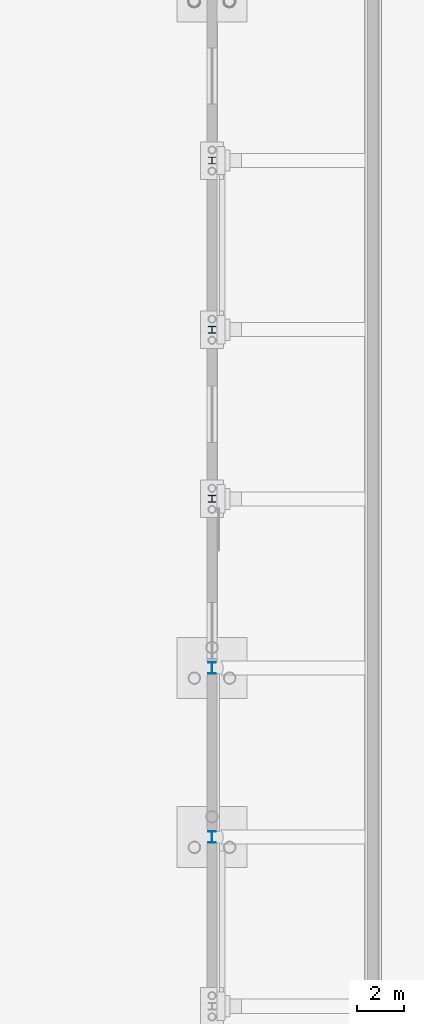
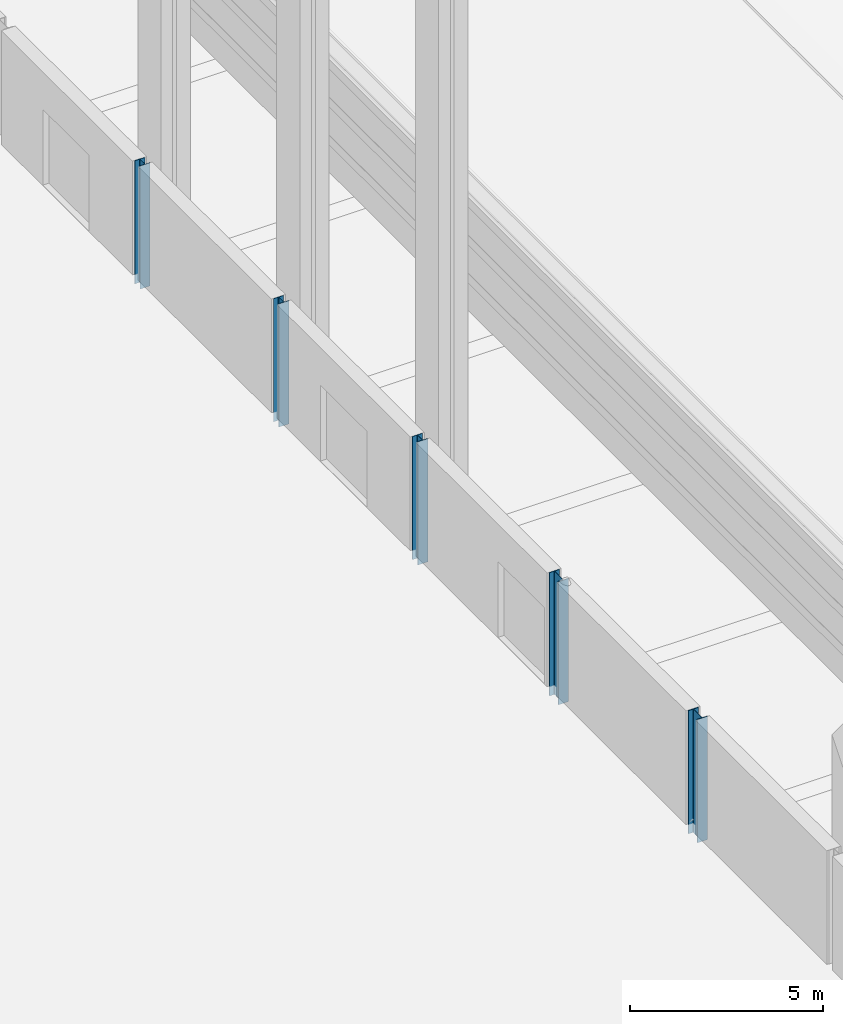
# One storey, part 54 of 148: 5 columns.
"""IFC4 building model written with IfcOpenShell, lengths in metres."""

from ifc_helpers import new_model, si_unit, direction, frame, origin, origin_2d, place, context, subcontext, project, spatial, i_section, extrude, material, material_profile, profile_set, type_object, element, save


model = new_model("IFC4")

# Units and contexts
model_context = context("Model", 3, precision=1e-05, world=origin(), true_north=direction((0.0, 1.0)))
body_context = subcontext(model_context, "Body", "Model", "MODEL_VIEW")
ifc_project = project(units=[si_unit("LENGTHUNIT", "METRE"), si_unit("AREAUNIT", "SQUARE_METRE"), si_unit("VOLUMEUNIT", "CUBIC_METRE"), si_unit("PLANEANGLEUNIT", "RADIAN"), si_unit("MASSUNIT", "GRAM", prefix="KILO")], contexts=[model_context])

# Site, building, storey
site_placement = place(None, origin())
site = spatial("IfcSite", under=ifc_project, at=site_placement, CompositionType="ELEMENT")
building_placement = place(site_placement, origin())
building = spatial("IfcBuilding", under=site, at=building_placement, Name="Kupolbacken Congress Centre", CompositionType="ELEMENT")
storey_placement = place(building_placement, origin())
storey = spatial("IfcBuildingStorey", under=building, at=storey_placement, Name="L00", CompositionType="ELEMENT", Elevation=0.0)

# Columns
ifc_material_1 = material(Name="Steel S355", Category="steel")
ifc_material_profile_1 = material_profile(ifc_material_1, i_section(OverallWidth=0.300048828125, OverallDepth=0.2900390625, WebThickness=0.008544921875, FlangeThickness=0.013916015625, FilletRadius=0.027099609375, at=origin_2d()), Name="HEA 300")
ifc_profile_set_1 = profile_set([ifc_material_profile_1], Name="Steel S355")
column_type_1 = type_object("IfcColumnType", Name="C09 column HEA 300", PredefinedType="COLUMN", material=ifc_profile_set_1)
for number, where, z_axis, x_axis, name in (
    (1, (201.60009765625, 72.0, -0.300048828125), (0.0, 0.0, 1.0), (1.0, 0.0, 0.0), "S/col/C-H-PE05/L00"),
    (2, (201.60009765625, 79.199951171875, -0.300048828125), (0.0, 0.0, 1.0), (1.0, 0.0, 0.0), "S/col/C-H-PE06/L00"),
    (3, (201.60009765625, 86.39990234375, -0.300048828125), (0.0, 0.0, 1.0), (1.0, 0.0, 0.0), "S/col/C-H-PE07/L00"),
):
    element("IfcColumn", number, at=place(storey_placement, frame(where, z_axis=z_axis, x_axis=x_axis)), inside=storey, type_object=column_type_1, Name=name, PredefinedType="COLUMN", context=body_context, shape_type="SweptSolid", body=[
        extrude(i_section(OverallWidth=0.300048828125, OverallDepth=0.2900390625, WebThickness=0.008544921875, FlangeThickness=0.013916015625, FilletRadius=0.027099609375, at=origin_2d()), origin(), (0.0, 0.0, 1.0), 3.900146484375),
    ])
ifc_material_2 = material(Name="Steel S355", Category="steel")
ifc_material_profile_2 = material_profile(ifc_material_2, i_section(OverallWidth=0.300048828125, OverallDepth=0.489990234375, WebThickness=0.011962890625, FlangeThickness=0.02294921875, FilletRadius=0.027099609375, at=origin_2d()), Name="HEA 500")
ifc_profile_set_2 = profile_set([ifc_material_profile_2], Name="Steel S355")
column_type_2 = type_object("IfcColumnType", Name="C14 column HEA 500", PredefinedType="COLUMN", material=ifc_profile_set_2)
for number, where, z_axis, x_axis, name in (
    (4, (201.60009765625, 57.60009765625, -0.300048828125), (0.0, 0.0, 1.0), (1.0, 0.0, 0.0), "S/col/C-H-PE03/L00"),
    (5, (201.60009765625, 64.800048828125, -0.300048828125), (0.0, 0.0, 1.0), (1.0, 0.0, 0.0), "S/col/C-H-PE04/L00"),
):
    element("IfcColumn", number, at=place(storey_placement, frame(where, z_axis=z_axis, x_axis=x_axis)), inside=storey, type_object=column_type_2, Name=name, PredefinedType="COLUMN", context=body_context, shape_type="SweptSolid", body=[
        extrude(i_section(OverallWidth=0.300048828125, OverallDepth=0.489990234375, WebThickness=0.011962890625, FlangeThickness=0.02294921875, FilletRadius=0.027099609375, at=origin_2d()), origin(), (0.0, 0.0, 1.0), 3.900146484375),
    ])

save(model, "model.ifc")
